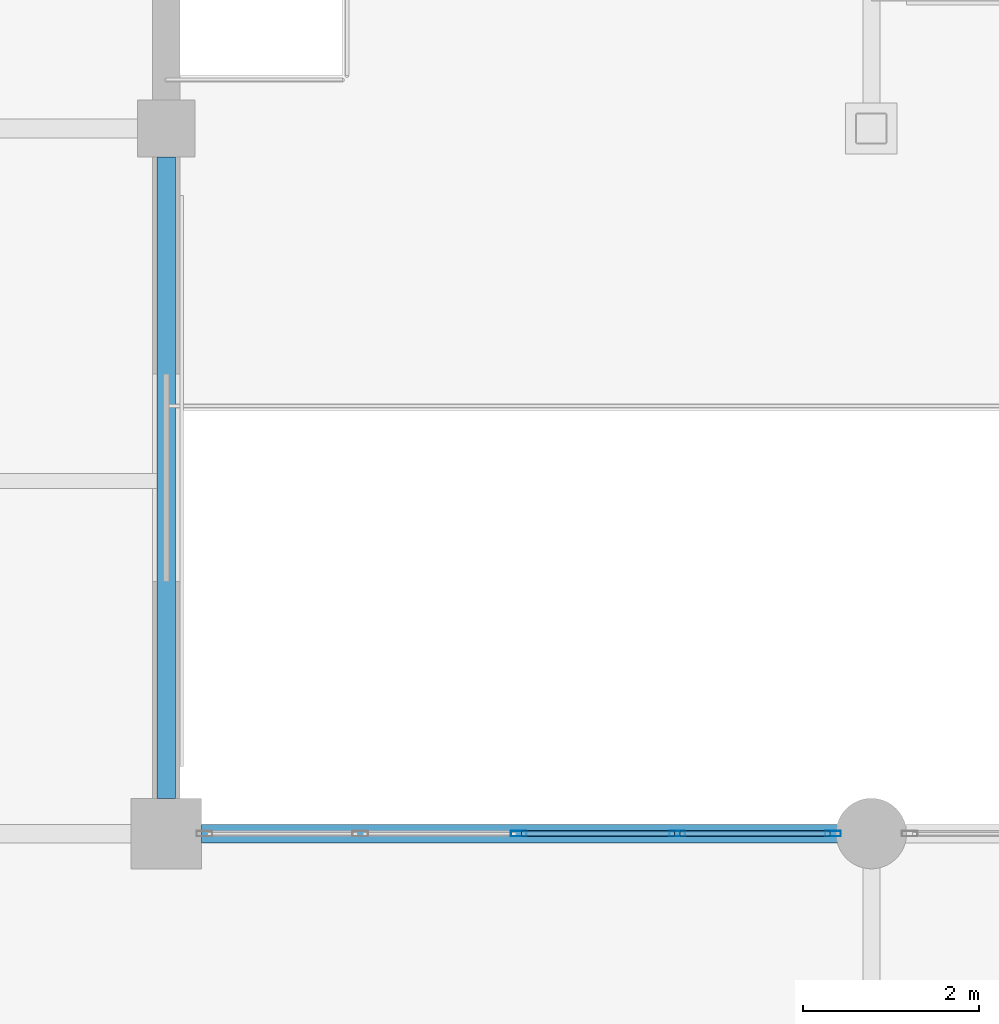
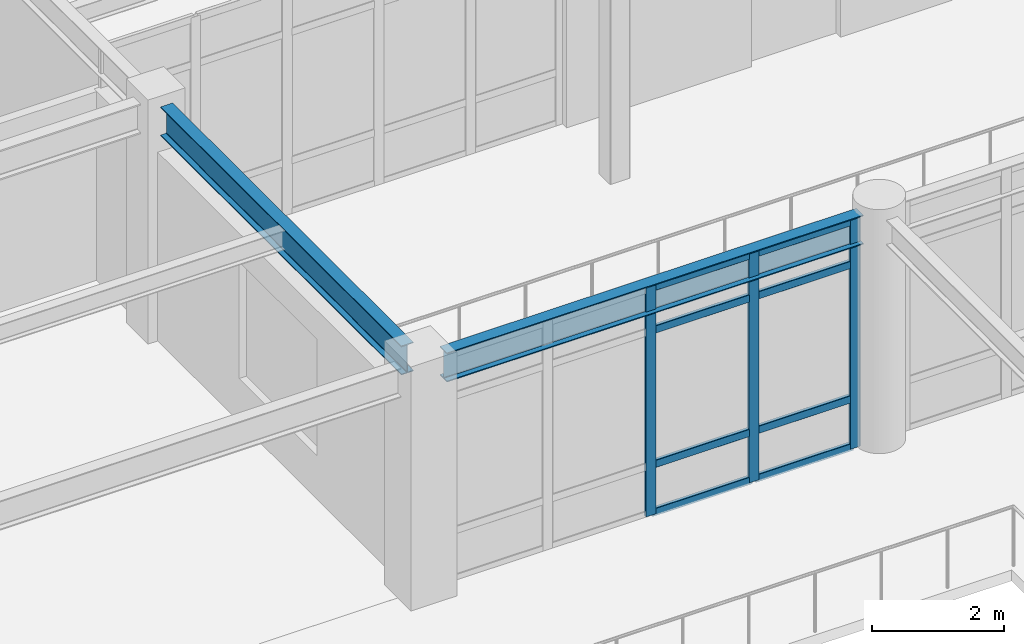
# One storey, part 44 of 111: 11 members, 2 beams, 1 element without a shape of its own.
"""IFC4 building model written with IfcOpenShell, lengths in metres."""

from ifc_helpers import new_model, si_unit, direction, frame, origin, origin_2d, place, context, subcontext, project, spatial, hollow_rectangle, i_section, extrude, material, material_profile, profile_set, type_object, element, aggregate, save


model = new_model("IFC4")

# Units and contexts
model_context = context("Model", 3, precision=1e-05, world=origin(), true_north=direction((0.0, 1.0)))
body_context = subcontext(model_context, "Body", "Model", "MODEL_VIEW")
ifc_project = project(units=[si_unit("LENGTHUNIT", "METRE"), si_unit("AREAUNIT", "SQUARE_METRE"), si_unit("VOLUMEUNIT", "CUBIC_METRE"), si_unit("PLANEANGLEUNIT", "RADIAN"), si_unit("MASSUNIT", "GRAM", prefix="KILO")], contexts=[model_context])

# Site, building, storey
site_placement = place(None, origin())
site = spatial("IfcSite", under=ifc_project, at=site_placement, CompositionType="ELEMENT")
building_placement = place(site_placement, origin())
building = spatial("IfcBuilding", under=site, at=building_placement, Name="Solmirada Galleria", CompositionType="ELEMENT")
storey_placement = place(building_placement, frame((0.0, 0.0, 10.39990234375)))
storey = spatial("IfcBuildingStorey", under=building, at=storey_placement, Name="L02", CompositionType="ELEMENT", Elevation=10.39990234375)

# Beams
ifc_material_1 = material(Name="Steel S355 / ASTM A992 Grade 50", Category="steel")
ifc_material_profile_1 = material_profile(ifc_material_1, i_section(OverallWidth=0.2099609375, OverallDepth=0.537109375, WebThickness=0.010986328125, FlangeThickness=0.017333984375, FilletRadius=0.014892578125, at=origin_2d()), Name="W21X68")
ifc_profile_set_1 = profile_set([ifc_material_profile_1], Name="Steel S355 / ASTM A992 Grade 50")
beam_type = type_object("IfcBeamType", Name="BM-GIRD-W21B", PredefinedType="BEAM", material=ifc_profile_set_1)
beam_1_placement = place(storey_placement, frame((96.39990234375, 72.0, 4.031494140625), z_axis=(1.0, 0.0, 0.0), x_axis=(0.0, 1.0, 0.0)))
element("IfcBeam", 1, at=beam_1_placement, inside=storey, type_object=beam_type, Name="Primary beam L03 X(96..104, 72)", PredefinedType="BEAM", context=body_context, shape_type="SweptSolid", body=[
    extrude(i_section(OverallWidth=0.2099609375, OverallDepth=0.537109375, WebThickness=0.010986328125, FlangeThickness=0.017333984375, FilletRadius=0.014892578125, at=origin_2d()), origin(), (0.0, 0.0, 1.0), 7.26416015625),
])
beam_2_placement = place(storey_placement, frame((96.0, 72.39990234375, 4.031494140625), z_axis=(0.0, 1.0, 0.0), x_axis=(-1.0, 0.0, 0.0)))
element("IfcBeam", 2, at=beam_2_placement, inside=storey, type_object=beam_type, Name="Primary girder L03 Y(96, 72..80)", PredefinedType="BEAM", context=body_context, shape_type="SweptSolid", body=[
    extrude(i_section(OverallWidth=0.2099609375, OverallDepth=0.537109375, WebThickness=0.010986328125, FlangeThickness=0.017333984375, FilletRadius=0.014892578125, at=origin_2d()), origin(), (0.0, 0.0, 1.0), 7.275146484375),
])

# Curtain wall, members
ifc_material_2 = material(Name="Impact-resistant low-E double glazing", Category="glass")
curtain_wall_type = type_object("IfcCurtainWallType", Name="CW-FZ3-L02-B4-L072", PredefinedType="NOTDEFINED", material=ifc_material_2)
curtain_wall_placement = place(storey_placement, origin())
curtain_wall = element("IfcCurtainWall", 3, at=curtain_wall_placement, inside=storey, type_object=curtain_wall_type, Name="Terrace and arcade storefront CW-L02-104", PredefinedType="NOTDEFINED")
ifc_material_3 = material(Name="Anodised aluminium framing", Category="aluminium")
ifc_material_profile_2 = material_profile(ifc_material_3, hollow_rectangle(XDim=0.06494140625, YDim=0.179931640625, WallThickness=0.00390625, InnerFilletRadius=0.00390625, OuterFilletRadius=0.008056640625, at=origin_2d()), Name="ALU-MULL-180X65")
ifc_profile_set_2 = profile_set([ifc_material_profile_2], Name="Anodised aluminium framing")
member_type_1 = type_object("IfcMemberType", Name="CW-MULL-180", PredefinedType="MULLION", material=ifc_profile_set_2)
member_1_placement = place(storey_placement, frame((100.0, 72.0, 0.0), z_axis=(0.0, 0.0, 1.0), x_axis=(0.0, 1.0, 0.0)))
member_1 = element("IfcMember", 4, at=member_1_placement, type_object=member_type_1, Name="CW21 mullion 3", PredefinedType="MULLION", context=body_context, shape_type="SweptSolid", body=[
    extrude(hollow_rectangle(XDim=0.06494140625, YDim=0.179931640625, WallThickness=0.00390625, InnerFilletRadius=0.00390625, OuterFilletRadius=0.008056640625, at=origin_2d()), origin(), (0.0, 0.0, 1.0), 4.22021484375),
])
member_2_placement = place(storey_placement, frame((101.799072265625, 72.0, 0.0), z_axis=(0.0, 0.0, 1.0), x_axis=(0.0, 1.0, 0.0)))
member_2 = element("IfcMember", 5, at=member_2_placement, type_object=member_type_1, Name="CW21 mullion 4", PredefinedType="MULLION", context=body_context, shape_type="SweptSolid", body=[
    extrude(hollow_rectangle(XDim=0.06494140625, YDim=0.179931640625, WallThickness=0.00390625, InnerFilletRadius=0.00390625, OuterFilletRadius=0.008056640625, at=origin_2d()), origin(), (0.0, 0.0, 1.0), 4.22021484375),
])
member_3_placement = place(storey_placement, frame((103.5654296875, 72.0, 0.0), z_axis=(0.0, 0.0, 1.0), x_axis=(0.0, 1.0, 0.0)))
member_3 = element("IfcMember", 6, at=member_3_placement, type_object=member_type_1, Name="CW21 mullion 5", PredefinedType="MULLION", context=body_context, shape_type="SweptSolid", body=[
    extrude(hollow_rectangle(XDim=0.06494140625, YDim=0.179931640625, WallThickness=0.00390625, InnerFilletRadius=0.00390625, OuterFilletRadius=0.008056640625, at=origin_2d()), origin(), (0.0, 0.0, 1.0), 4.22021484375),
])
ifc_material_profile_3 = material_profile(ifc_material_3, hollow_rectangle(XDim=0.06494140625, YDim=0.139892578125, WallThickness=0.00341796875, InnerFilletRadius=0.00341796875, OuterFilletRadius=0.007080078125, at=origin_2d()), Name="ALU-TRAN-140X65")
ifc_profile_set_3 = profile_set([ifc_material_profile_3], Name="Anodised aluminium framing")
member_type_2 = type_object("IfcMemberType", Name="CW-TRAN-140", PredefinedType="USERDEFINED", material=ifc_profile_set_3)
member_4_placement = place(storey_placement, frame((100.032470703125, 72.0, 0.03271484375), z_axis=(1.0, 0.0, 0.0), x_axis=(0.0, 1.0, 0.0)))
member_4 = element("IfcMember", 7, at=member_4_placement, type_object=member_type_2, Name="CW21 transom 3.1", ObjectType="TRANSOM", PredefinedType="USERDEFINED", context=body_context, shape_type="SweptSolid", body=[
    extrude(hollow_rectangle(XDim=0.06494140625, YDim=0.139892578125, WallThickness=0.00341796875, InnerFilletRadius=0.00341796875, OuterFilletRadius=0.007080078125, at=origin_2d()), origin(), (0.0, 0.0, 1.0), 1.734130859375),
])
member_5_placement = place(storey_placement, frame((100.032470703125, 72.0, 0.920166015625), z_axis=(1.0, 0.0, 0.0), x_axis=(0.0, 1.0, 0.0)))
member_5 = element("IfcMember", 8, at=member_5_placement, type_object=member_type_2, Name="CW21 transom 3.2", ObjectType="TRANSOM", PredefinedType="USERDEFINED", context=body_context, shape_type="SweptSolid", body=[
    extrude(hollow_rectangle(XDim=0.06494140625, YDim=0.139892578125, WallThickness=0.00341796875, InnerFilletRadius=0.00341796875, OuterFilletRadius=0.007080078125, at=origin_2d()), origin(), (0.0, 0.0, 1.0), 1.734130859375),
])
member_6_placement = place(storey_placement, frame((100.032470703125, 72.0, 3.400146484375), z_axis=(1.0, 0.0, 0.0), x_axis=(0.0, 1.0, 0.0)))
member_6 = element("IfcMember", 9, at=member_6_placement, type_object=member_type_2, Name="CW21 transom 3.3", ObjectType="TRANSOM", PredefinedType="USERDEFINED", context=body_context, shape_type="SweptSolid", body=[
    extrude(hollow_rectangle(XDim=0.06494140625, YDim=0.139892578125, WallThickness=0.00341796875, InnerFilletRadius=0.00341796875, OuterFilletRadius=0.007080078125, at=origin_2d()), origin(), (0.0, 0.0, 1.0), 1.734130859375),
])
member_7_placement = place(storey_placement, frame((100.032470703125, 72.0, 4.1875), z_axis=(1.0, 0.0, 0.0), x_axis=(0.0, 1.0, 0.0)))
member_7 = element("IfcMember", 10, at=member_7_placement, type_object=member_type_2, Name="CW21 transom 3.4", ObjectType="TRANSOM", PredefinedType="USERDEFINED", context=body_context, shape_type="SweptSolid", body=[
    extrude(hollow_rectangle(XDim=0.06494140625, YDim=0.139892578125, WallThickness=0.00341796875, InnerFilletRadius=0.00341796875, OuterFilletRadius=0.007080078125, at=origin_2d()), origin(), (0.0, 0.0, 1.0), 1.734130859375),
])
member_8_placement = place(storey_placement, frame((101.83154296875, 72.0, 0.03271484375), z_axis=(1.0, 0.0, 0.0), x_axis=(0.0, 1.0, 0.0)))
member_8 = element("IfcMember", 11, at=member_8_placement, type_object=member_type_2, Name="CW21 transom 4.1", ObjectType="TRANSOM", PredefinedType="USERDEFINED", context=body_context, shape_type="SweptSolid", body=[
    extrude(hollow_rectangle(XDim=0.06494140625, YDim=0.139892578125, WallThickness=0.00341796875, InnerFilletRadius=0.00341796875, OuterFilletRadius=0.007080078125, at=origin_2d()), origin(), (0.0, 0.0, 1.0), 1.701416015625),
])
member_9_placement = place(storey_placement, frame((101.83154296875, 72.0, 0.920166015625), z_axis=(1.0, 0.0, 0.0), x_axis=(0.0, 1.0, 0.0)))
member_9 = element("IfcMember", 12, at=member_9_placement, type_object=member_type_2, Name="CW21 transom 4.2", ObjectType="TRANSOM", PredefinedType="USERDEFINED", context=body_context, shape_type="SweptSolid", body=[
    extrude(hollow_rectangle(XDim=0.06494140625, YDim=0.139892578125, WallThickness=0.00341796875, InnerFilletRadius=0.00341796875, OuterFilletRadius=0.007080078125, at=origin_2d()), origin(), (0.0, 0.0, 1.0), 1.701416015625),
])
member_10_placement = place(storey_placement, frame((101.83154296875, 72.0, 3.400146484375), z_axis=(1.0, 0.0, 0.0), x_axis=(0.0, 1.0, 0.0)))
member_10 = element("IfcMember", 13, at=member_10_placement, type_object=member_type_2, Name="CW21 transom 4.3", ObjectType="TRANSOM", PredefinedType="USERDEFINED", context=body_context, shape_type="SweptSolid", body=[
    extrude(hollow_rectangle(XDim=0.06494140625, YDim=0.139892578125, WallThickness=0.00341796875, InnerFilletRadius=0.00341796875, OuterFilletRadius=0.007080078125, at=origin_2d()), origin(), (0.0, 0.0, 1.0), 1.701416015625),
])
member_11_placement = place(storey_placement, frame((101.83154296875, 72.0, 4.1875), z_axis=(1.0, 0.0, 0.0), x_axis=(0.0, 1.0, 0.0)))
member_11 = element("IfcMember", 14, at=member_11_placement, type_object=member_type_2, Name="CW21 transom 4.4", ObjectType="TRANSOM", PredefinedType="USERDEFINED", context=body_context, shape_type="SweptSolid", body=[
    extrude(hollow_rectangle(XDim=0.06494140625, YDim=0.139892578125, WallThickness=0.00341796875, InnerFilletRadius=0.00341796875, OuterFilletRadius=0.007080078125, at=origin_2d()), origin(), (0.0, 0.0, 1.0), 1.701416015625),
])
aggregate(curtain_wall, [member_1, member_2, member_3, member_4, member_5, member_6, member_7, member_8, member_9, member_10, member_11])

save(model, "model.ifc")
